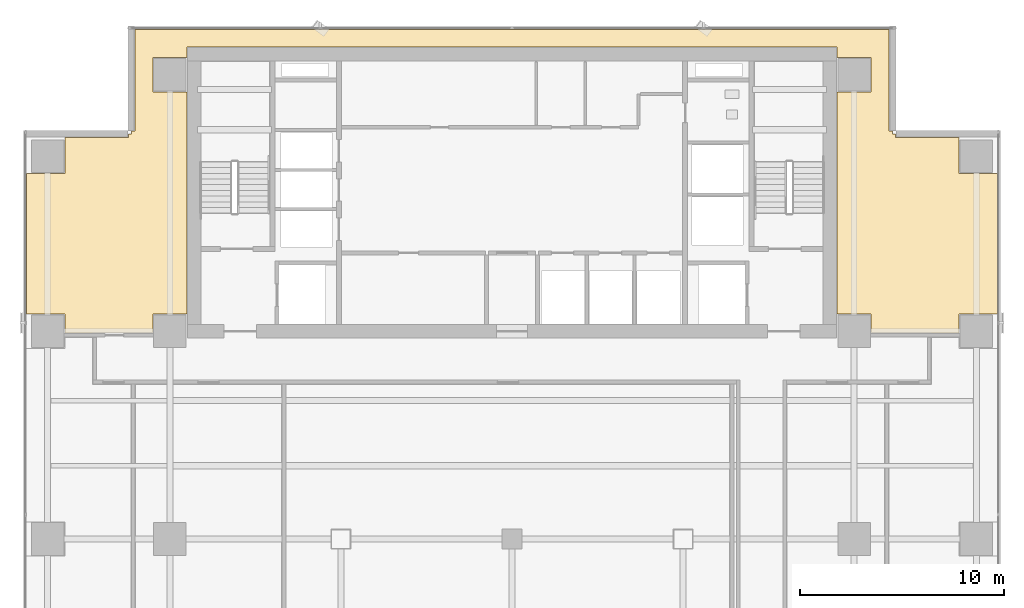
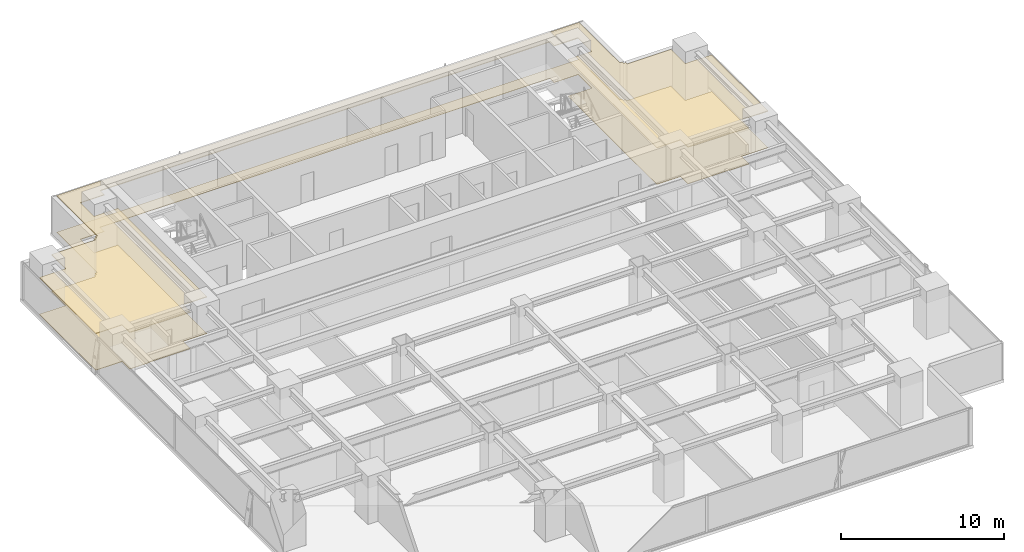
# One storey, part 26 of 28: 2 coverings.
"""IFC4 building model written with IfcOpenShell, lengths in metres."""

from ifc_helpers import new_model, si_unit, direction, frame, origin, place, context, subcontext, project, spatial, polyline, outline, extrude, material, layer, layer_set, type_object, element, save


model = new_model("IFC4")

# Units and contexts
model_context = context("Model", 3, precision=1e-05, world=origin(), true_north=direction((0.0, 1.0)))
body_context = subcontext(model_context, "Body", "Model", "MODEL_VIEW")
ifc_project = project(units=[si_unit("LENGTHUNIT", "METRE"), si_unit("AREAUNIT", "SQUARE_METRE"), si_unit("VOLUMEUNIT", "CUBIC_METRE"), si_unit("PLANEANGLEUNIT", "RADIAN"), si_unit("MASSUNIT", "GRAM", prefix="KILO")], contexts=[model_context])

# Site, building, storey
site_placement = place(None, origin())
site = spatial("IfcSite", under=ifc_project, at=site_placement, CompositionType="ELEMENT")
building_placement = place(site_placement, origin())
building = spatial("IfcBuilding", under=site, at=building_placement, Name="Sumidabori Civic Tower", CompositionType="ELEMENT")
storey_placement = place(building_placement, frame((0.0, 0.0, 174.800048828125)))
storey = spatial("IfcBuildingStorey", under=building, at=storey_placement, Name="L45", CompositionType="ELEMENT", Elevation=174.800048828125)

# Coverings
ifc_material_1 = material(Name="Anodised Bronze Baffle Ceiling")
ifc_layer_1 = layer(ifc_material_1, 0.054931640625, Name="Anodised Bronze Baffle Ceiling")
ifc_layer_set_1 = layer_set([ifc_layer_1], Name="Anodised Bronze Baffle Ceiling")
covering_type_1 = type_object("IfcCoveringType", Name="CV-CEIL-AC3", PredefinedType="CEILING", material=ifc_layer_set_1)
covering_1_placement = place(storey_placement, frame((0.0, 0.0, 2.72998046875)))
element("IfcCovering", 1, at=covering_1_placement, inside=storey, type_object=covering_type_1, Name="Room Acoustic Ceiling L45-01", PredefinedType="CEILING", context=body_context, shape_type="SweptSolid", body=[
    extrude(outline(polyline([(-20.60009765625, 10.110107421875), (-21.9599609375, 10.110107421875), (-21.9599609375, 11.0400390625), (-23.830078125, 11.0400390625), (-23.830078125, 17.9599609375), (-21.9599609375, 17.9599609375), (-21.9599609375, 19.721923828125), (-18.842041015625, 19.721923828125), (-18.842041015625, 19.8798828125), (-18.679931640625, 19.8798828125), (-18.679931640625, 20.0419921875), (-18.52197265625, 20.0419921875), (-18.52197265625, 25.030029296875), (18.52197265625, 25.030029296875), (18.52197265625, 20.0419921875), (18.679931640625, 20.0419921875), (18.679931640625, 19.8798828125), (18.842041015625, 19.8798828125), (18.842041015625, 19.721923828125), (21.9599609375, 19.721923828125), (21.9599609375, 17.9599609375), (23.830078125, 17.9599609375), (23.830078125, 11.0400390625), (21.9599609375, 11.0400390625), (21.9599609375, 10.110107421875), (20.60009765625, 10.110107421875), (20.60009765625, 10.14990234375), (17.639892578125, 10.14990234375), (17.639892578125, 11.0400390625), (15.952880859375, 11.0400390625), (15.952880859375, 21.9599609375), (17.639892578125, 21.9599609375), (17.639892578125, 23.639892578125), (15.952880859375, 23.639892578125), (15.952880859375, 24.153076171875), (-15.952880859375, 24.153076171875), (-15.952880859375, 23.639892578125), (-17.639892578125, 23.639892578125), (-17.639892578125, 21.9599609375), (-15.952880859375, 21.9599609375), (-15.952880859375, 11.0400390625), (-17.639892578125, 11.0400390625), (-17.639892578125, 10.14990234375), (-20.60009765625, 10.14990234375), (-20.60009765625, 10.110107421875)])), origin(), (0.0, 0.0, 1.0), 0.054931640625),
])
ifc_material_2 = material(Name="Honed Terrazzo Tile Flooring")
ifc_layer_2 = layer(ifc_material_2, 0.030029296875, Name="Honed Terrazzo Tile Flooring")
ifc_layer_set_2 = layer_set([ifc_layer_2], Name="Honed Terrazzo Tile Flooring")
covering_type_2 = type_object("IfcCoveringType", Name="CV-FLR-TER", PredefinedType="FLOORING", material=ifc_layer_set_2)
covering_2_placement = place(storey_placement, origin())
element("IfcCovering", 2, at=covering_2_placement, inside=storey, type_object=covering_type_2, Name="Room Terrazzo Floor L45-01", PredefinedType="FLOORING", context=body_context, shape_type="SweptSolid", body=[
    extrude(outline(polyline([(-20.60009765625, 10.110107421875), (-21.9599609375, 10.110107421875), (-21.9599609375, 11.0400390625), (-23.830078125, 11.0400390625), (-23.830078125, 17.9599609375), (-21.9599609375, 17.9599609375), (-21.9599609375, 19.721923828125), (-18.842041015625, 19.721923828125), (-18.842041015625, 19.8798828125), (-18.679931640625, 19.8798828125), (-18.679931640625, 20.0419921875), (-18.52197265625, 20.0419921875), (-18.52197265625, 25.030029296875), (18.52197265625, 25.030029296875), (18.52197265625, 20.0419921875), (18.679931640625, 20.0419921875), (18.679931640625, 19.8798828125), (18.842041015625, 19.8798828125), (18.842041015625, 19.721923828125), (21.9599609375, 19.721923828125), (21.9599609375, 17.9599609375), (23.830078125, 17.9599609375), (23.830078125, 11.0400390625), (21.9599609375, 11.0400390625), (21.9599609375, 10.110107421875), (20.60009765625, 10.110107421875), (20.60009765625, 10.14990234375), (17.639892578125, 10.14990234375), (17.639892578125, 11.0400390625), (15.952880859375, 11.0400390625), (15.952880859375, 21.9599609375), (17.639892578125, 21.9599609375), (17.639892578125, 23.639892578125), (15.952880859375, 23.639892578125), (15.952880859375, 24.153076171875), (-15.952880859375, 24.153076171875), (-15.952880859375, 23.639892578125), (-17.639892578125, 23.639892578125), (-17.639892578125, 21.9599609375), (-15.952880859375, 21.9599609375), (-15.952880859375, 11.0400390625), (-17.639892578125, 11.0400390625), (-17.639892578125, 10.14990234375), (-20.60009765625, 10.14990234375), (-20.60009765625, 10.110107421875)])), origin(), (0.0, 0.0, 1.0), 0.030029296875),
])

save(model, "model.ifc")
